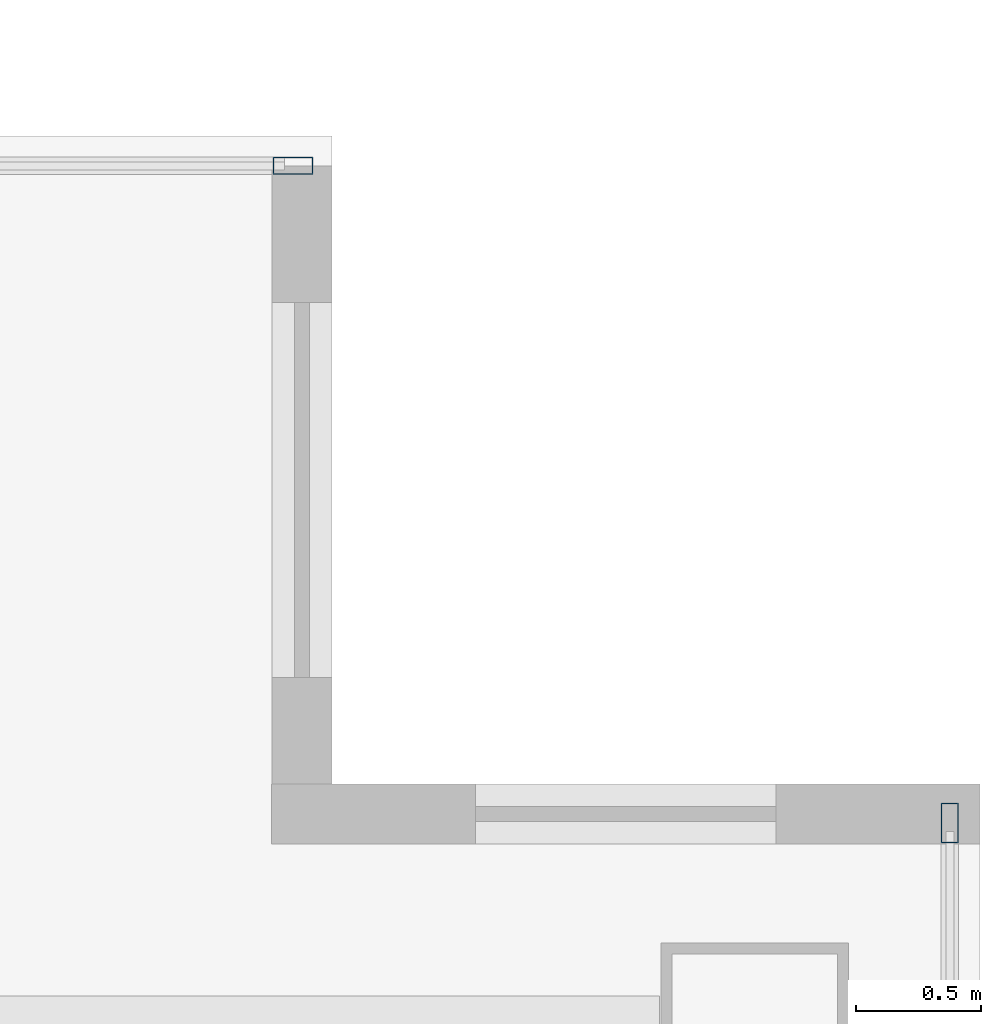
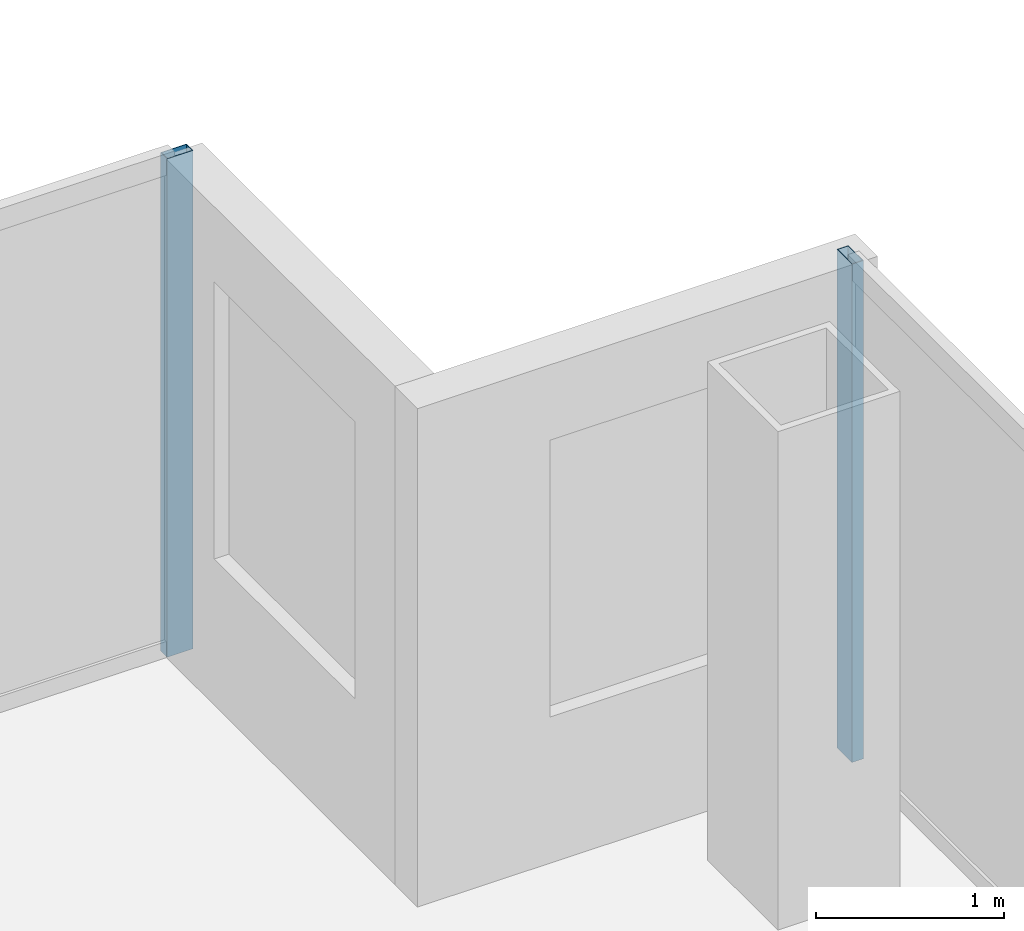
# One storey, part 16 of 23: 2 members, 2 elements without a shape of their own.
"""IFC4 building model written with IfcOpenShell, lengths in metres."""

from ifc_helpers import new_model, si_unit, direction, frame, origin, origin_2d, place, context, subcontext, project, spatial, hollow_rectangle, extrude, material, material_profile, profile_set, type_object, element, aggregate, save


model = new_model("IFC4")

# Units and contexts
model_context = context("Model", 3, precision=1e-05, world=origin(), true_north=direction((0.0, 1.0)))
body_context = subcontext(model_context, "Body", "Model", "MODEL_VIEW")
ifc_project = project(units=[si_unit("LENGTHUNIT", "METRE"), si_unit("AREAUNIT", "SQUARE_METRE"), si_unit("VOLUMEUNIT", "CUBIC_METRE"), si_unit("PLANEANGLEUNIT", "RADIAN"), si_unit("MASSUNIT", "GRAM", prefix="KILO")], contexts=[model_context])

# Site, building, storey
site_placement = place(None, origin())
site = spatial("IfcSite", under=ifc_project, at=site_placement, CompositionType="ELEMENT")
building_placement = place(site_placement, origin())
building = spatial("IfcBuilding", under=site, at=building_placement, Name="Cobrela Telecom Tower", CompositionType="ELEMENT")
storey_placement = place(building_placement, frame((0.0, 0.0, 204.75)))
storey = spatial("IfcBuildingStorey", under=building, at=storey_placement, Name="L52", CompositionType="ELEMENT", Elevation=204.75)

# Curtain wall, member
ifc_material = material(Name="Anodized Bronze Aluminium 6063-T6", Category="aluminium")
curtain_wall_type = type_object("IfcCurtainWallType", Name="CW-SYS-OFF-LO", PredefinedType="USERDEFINED", material=ifc_material)
curtain_wall_1_placement = place(storey_placement, origin())
curtain_wall_1 = element("IfcCurtainWall", 1, at=curtain_wall_1_placement, inside=storey, type_object=curtain_wall_type, Name="L52 Unitised Bronze Curtain Wall 11", ObjectType="UNITISED CURTAIN WALL", PredefinedType="USERDEFINED")
ifc_material_profile = material_profile(ifc_material, hollow_rectangle(XDim=0.070068359375, YDim=0.159912109375, WallThickness=0.00390625, at=origin_2d()), Name="ALU 70x160x4")
ifc_profile_set = profile_set([ifc_material_profile], Name="Anodized Bronze Aluminium 6063-T6")
member_type = type_object("IfcMemberType", Name="CW-SYS-OFF-LO-MUL", PredefinedType="MULLION", material=ifc_profile_set)
member_1_placement = place(storey_placement, frame((41.2548828125, 25.080078125, 0.0), z_axis=(0.0, 0.0, 1.0), x_axis=(0.0, 1.0, 0.0)))
member_1 = element("IfcMember", 2, at=member_1_placement, type_object=member_type, Name="CW-OFF-LO mullion 3", PredefinedType="MULLION", context=body_context, shape_type="SweptSolid", body=[
    extrude(hollow_rectangle(XDim=0.070068359375, YDim=0.159912109375, WallThickness=0.00390625, at=origin_2d()), origin(), (0.0, 0.0, 1.0), 3.239990234375),
])
aggregate(curtain_wall_1, [member_1])

curtain_wall_2_placement = place(storey_placement, origin())
curtain_wall_2 = element("IfcCurtainWall", 3, at=curtain_wall_2_placement, inside=storey, type_object=curtain_wall_type, Name="L52 Unitised Bronze Curtain Wall 14", ObjectType="UNITISED CURTAIN WALL", PredefinedType="USERDEFINED")
member_2_placement = place(storey_placement, frame((43.8798828125, 22.455078125, 0.0), z_axis=(0.0, 0.0, 1.0), x_axis=(1.0, 0.0, 0.0)))
member_2 = element("IfcMember", 4, at=member_2_placement, type_object=member_type, Name="CW-OFF-LO mullion 1", PredefinedType="MULLION", context=body_context, shape_type="SweptSolid", body=[
    extrude(hollow_rectangle(XDim=0.070068359375, YDim=0.159912109375, WallThickness=0.00390625, at=origin_2d()), origin(), (0.0, 0.0, 1.0), 3.239990234375),
])
aggregate(curtain_wall_2, [member_2])

save(model, "model.ifc")
